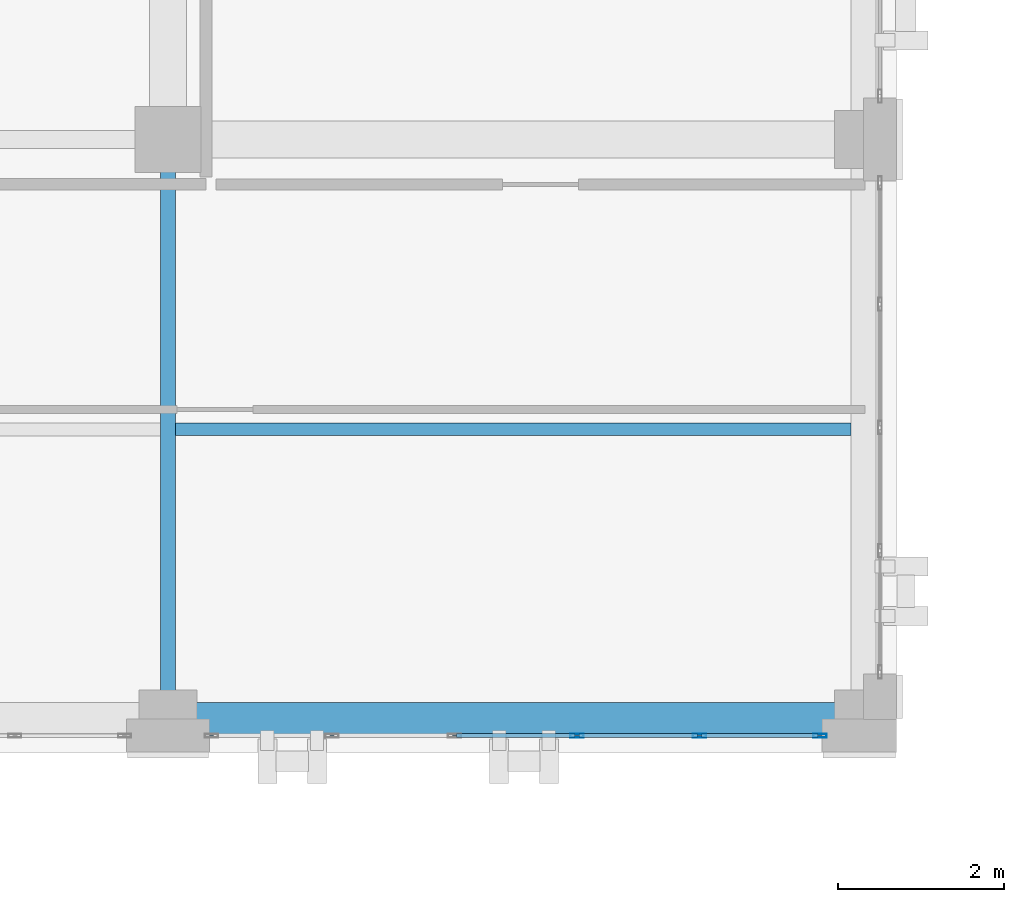
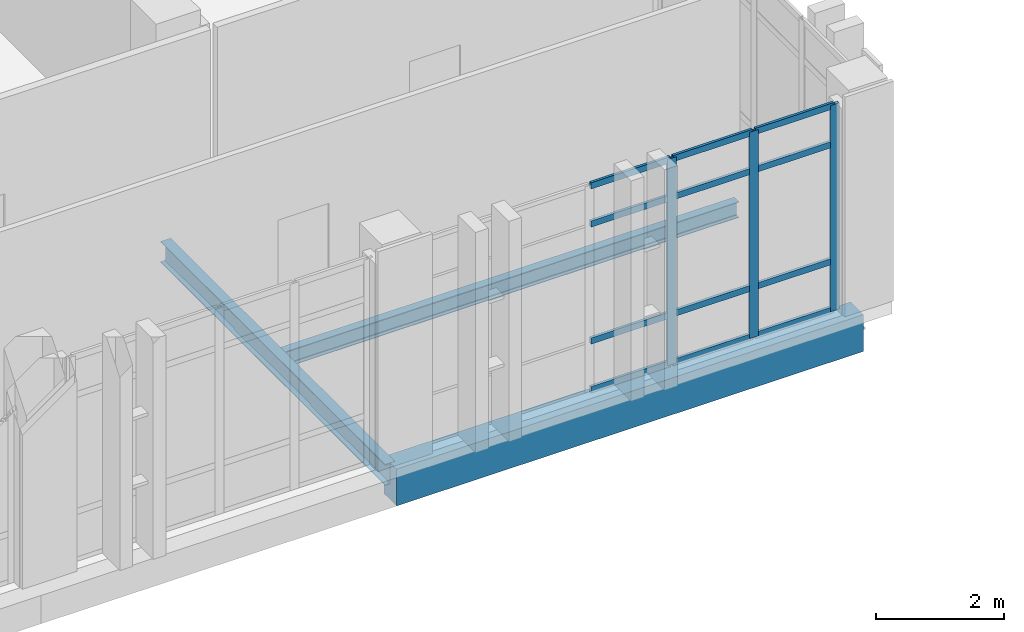
# One storey, part 84 of 158: 15 members, 3 beams, 1 element without a shape of its own.
"""IFC4 building model written with IfcOpenShell, lengths in metres."""

from ifc_helpers import new_model, si_unit, direction, frame, origin, origin_2d, place, context, subcontext, project, spatial, rectangle, hollow_rectangle, i_section, extrude, material, layer, layer_set, material_profile, profile_set, type_object, element, aggregate, save


model = new_model("IFC4")

# Units and contexts
model_context = context("Model", 3, precision=1e-05, world=origin(), true_north=direction((0.0, 1.0)))
body_context = subcontext(model_context, "Body", "Model", "MODEL_VIEW")
ifc_project = project(units=[si_unit("LENGTHUNIT", "METRE"), si_unit("AREAUNIT", "SQUARE_METRE"), si_unit("VOLUMEUNIT", "CUBIC_METRE"), si_unit("PLANEANGLEUNIT", "RADIAN"), si_unit("MASSUNIT", "GRAM", prefix="KILO")], contexts=[model_context])

# Site, building, storey
site_placement = place(None, origin())
site = spatial("IfcSite", under=ifc_project, at=site_placement, CompositionType="ELEMENT")
building_placement = place(site_placement, origin())
building = spatial("IfcBuilding", under=site, at=building_placement, Name="Qalavern Law Courts", CompositionType="ELEMENT")
storey_placement = place(building_placement, frame((0.0, 0.0, 18.60009765625)))
storey = spatial("IfcBuildingStorey", under=building, at=storey_placement, Name="L04", CompositionType="ELEMENT", Elevation=18.60009765625)

# Curtain wall, members
ifc_material_1 = material(Name="Anodised aluminium and insulated glazing", Category="aluminium")
ifc_layer = layer(ifc_material_1, 0.166015625)
ifc_layer_set = layer_set([ifc_layer], Name="Anodised aluminium and insulated glazing")
curtain_wall_type = type_object("IfcCurtainWallType", Name="ENV-CW-LIB", PredefinedType="USERDEFINED", material=ifc_layer_set)
curtain_wall_placement = place(storey_placement, origin())
curtain_wall = element("IfcCurtainWall", 1, at=curtain_wall_placement, inside=storey, type_object=curtain_wall_type, Name="V5 unitised curtain wall L04 south 6", ObjectType="UNITISED CURTAIN WALL", PredefinedType="USERDEFINED")
ifc_material_2 = material(Name="Anodised aluminium", Category="aluminium")
ifc_material_profile_1 = material_profile(ifc_material_2, hollow_rectangle(XDim=0.048095703125, YDim=0.159912109375, WallThickness=0.00390625, at=origin_2d()), Name="ALU MULLION 48x160")
ifc_profile_set_1 = profile_set([ifc_material_profile_1], Name="Anodised aluminium")
member_type_1 = type_object("IfcMemberType", Name="ENV-CWM-48x160", PredefinedType="MULLION", material=ifc_profile_set_1)
member_1_placement = place(storey_placement, frame((62.93994140625, 96.39990234375, 0.0), z_axis=(0.0, 0.0, 1.0), x_axis=(0.0, 1.0, 0.0)))
member_1 = element("IfcMember", 2, at=member_1_placement, type_object=member_type_1, Name="CW-05 mullion 4", PredefinedType="MULLION", context=body_context, shape_type="SweptSolid", body=[
    extrude(hollow_rectangle(XDim=0.048095703125, YDim=0.159912109375, WallThickness=0.00390625, at=origin_2d()), origin(), (0.0, 0.0, 1.0), 3.9248046875),
])
member_2_placement = place(storey_placement, frame((64.419921875, 96.39990234375, 0.0), z_axis=(0.0, 0.0, 1.0), x_axis=(0.0, 1.0, 0.0)))
member_2 = element("IfcMember", 3, at=member_2_placement, type_object=member_type_1, Name="CW-05 mullion 5", PredefinedType="MULLION", context=body_context, shape_type="SweptSolid", body=[
    extrude(hollow_rectangle(XDim=0.048095703125, YDim=0.159912109375, WallThickness=0.00390625, at=origin_2d()), origin(), (0.0, 0.0, 1.0), 3.9248046875),
])
member_3_placement = place(storey_placement, frame((65.8759765625, 96.39990234375, 0.0), z_axis=(0.0, 0.0, 1.0), x_axis=(0.0, 1.0, 0.0)))
member_3 = element("IfcMember", 4, at=member_3_placement, type_object=member_type_1, Name="CW-05 mullion 6", PredefinedType="MULLION", context=body_context, shape_type="SweptSolid", body=[
    extrude(hollow_rectangle(XDim=0.048095703125, YDim=0.159912109375, WallThickness=0.00390625, at=origin_2d()), origin(), (0.0, 0.0, 1.0), 3.9248046875),
])
ifc_material_profile_2 = material_profile(ifc_material_2, hollow_rectangle(XDim=0.048095703125, YDim=0.1201171875, WallThickness=0.00390625, at=origin_2d()), Name="ALU TRANSOM 48x120")
ifc_profile_set_2 = profile_set([ifc_material_profile_2], Name="Anodised aluminium")
member_type_2 = type_object("IfcMemberType", Name="ENV-CWT-48x120", PredefinedType="USERDEFINED", material=ifc_profile_set_2)
member_4_placement = place(storey_placement, frame((61.48388671875, 96.39990234375, 0.02392578125), z_axis=(1.0, 0.0, 0.0), x_axis=(0.0, 1.0, 0.0)))
member_4 = element("IfcMember", 5, at=member_4_placement, type_object=member_type_2, Name="CW-05 transom 3.1", ObjectType="TRANSOM", PredefinedType="USERDEFINED", context=body_context, shape_type="SweptSolid", body=[
    extrude(hollow_rectangle(XDim=0.048095703125, YDim=0.1201171875, WallThickness=0.00390625, at=origin_2d()), origin(), (0.0, 0.0, 1.0), 1.43212890625),
])
member_5_placement = place(storey_placement, frame((61.48388671875, 96.39990234375, 0.949951171875), z_axis=(1.0, 0.0, 0.0), x_axis=(0.0, 1.0, 0.0)))
member_5 = element("IfcMember", 6, at=member_5_placement, type_object=member_type_2, Name="CW-05 transom 3.2", ObjectType="TRANSOM", PredefinedType="USERDEFINED", context=body_context, shape_type="SweptSolid", body=[
    extrude(hollow_rectangle(XDim=0.048095703125, YDim=0.1201171875, WallThickness=0.00390625, at=origin_2d()), origin(), (0.0, 0.0, 1.0), 1.43212890625),
])
member_6_placement = place(storey_placement, frame((61.48388671875, 96.39990234375, 3.1748046875), z_axis=(1.0, 0.0, 0.0), x_axis=(0.0, 1.0, 0.0)))
member_6 = element("IfcMember", 7, at=member_6_placement, type_object=member_type_2, Name="CW-05 transom 3.3", ObjectType="TRANSOM", PredefinedType="USERDEFINED", context=body_context, shape_type="SweptSolid", body=[
    extrude(hollow_rectangle(XDim=0.048095703125, YDim=0.1201171875, WallThickness=0.00390625, at=origin_2d()), origin(), (0.0, 0.0, 1.0), 1.43212890625),
])
member_7_placement = place(storey_placement, frame((61.48388671875, 96.39990234375, 3.90087890625), z_axis=(1.0, 0.0, 0.0), x_axis=(0.0, 1.0, 0.0)))
member_7 = element("IfcMember", 8, at=member_7_placement, type_object=member_type_2, Name="CW-05 transom 3.4", ObjectType="TRANSOM", PredefinedType="USERDEFINED", context=body_context, shape_type="SweptSolid", body=[
    extrude(hollow_rectangle(XDim=0.048095703125, YDim=0.1201171875, WallThickness=0.00390625, at=origin_2d()), origin(), (0.0, 0.0, 1.0), 1.43212890625),
])
member_8_placement = place(storey_placement, frame((62.964111328125, 96.39990234375, 0.02392578125), z_axis=(1.0, 0.0, 0.0), x_axis=(0.0, 1.0, 0.0)))
member_8 = element("IfcMember", 9, at=member_8_placement, type_object=member_type_2, Name="CW-05 transom 4.1", ObjectType="TRANSOM", PredefinedType="USERDEFINED", context=body_context, shape_type="SweptSolid", body=[
    extrude(hollow_rectangle(XDim=0.048095703125, YDim=0.1201171875, WallThickness=0.00390625, at=origin_2d()), origin(), (0.0, 0.0, 1.0), 1.431884765625),
])
member_9_placement = place(storey_placement, frame((62.964111328125, 96.39990234375, 0.949951171875), z_axis=(1.0, 0.0, 0.0), x_axis=(0.0, 1.0, 0.0)))
member_9 = element("IfcMember", 10, at=member_9_placement, type_object=member_type_2, Name="CW-05 transom 4.2", ObjectType="TRANSOM", PredefinedType="USERDEFINED", context=body_context, shape_type="SweptSolid", body=[
    extrude(hollow_rectangle(XDim=0.048095703125, YDim=0.1201171875, WallThickness=0.00390625, at=origin_2d()), origin(), (0.0, 0.0, 1.0), 1.431884765625),
])
member_10_placement = place(storey_placement, frame((62.964111328125, 96.39990234375, 3.1748046875), z_axis=(1.0, 0.0, 0.0), x_axis=(0.0, 1.0, 0.0)))
member_10 = element("IfcMember", 11, at=member_10_placement, type_object=member_type_2, Name="CW-05 transom 4.3", ObjectType="TRANSOM", PredefinedType="USERDEFINED", context=body_context, shape_type="SweptSolid", body=[
    extrude(hollow_rectangle(XDim=0.048095703125, YDim=0.1201171875, WallThickness=0.00390625, at=origin_2d()), origin(), (0.0, 0.0, 1.0), 1.431884765625),
])
member_11_placement = place(storey_placement, frame((62.964111328125, 96.39990234375, 3.90087890625), z_axis=(1.0, 0.0, 0.0), x_axis=(0.0, 1.0, 0.0)))
member_11 = element("IfcMember", 12, at=member_11_placement, type_object=member_type_2, Name="CW-05 transom 4.4", ObjectType="TRANSOM", PredefinedType="USERDEFINED", context=body_context, shape_type="SweptSolid", body=[
    extrude(hollow_rectangle(XDim=0.048095703125, YDim=0.1201171875, WallThickness=0.00390625, at=origin_2d()), origin(), (0.0, 0.0, 1.0), 1.431884765625),
])
member_12_placement = place(storey_placement, frame((64.444091796875, 96.39990234375, 0.02392578125), z_axis=(1.0, 0.0, 0.0), x_axis=(0.0, 1.0, 0.0)))
member_12 = element("IfcMember", 13, at=member_12_placement, type_object=member_type_2, Name="CW-05 transom 5.1", ObjectType="TRANSOM", PredefinedType="USERDEFINED", context=body_context, shape_type="SweptSolid", body=[
    extrude(hollow_rectangle(XDim=0.048095703125, YDim=0.1201171875, WallThickness=0.00390625, at=origin_2d()), origin(), (0.0, 0.0, 1.0), 1.407958984375),
])
member_13_placement = place(storey_placement, frame((64.444091796875, 96.39990234375, 0.949951171875), z_axis=(1.0, 0.0, 0.0), x_axis=(0.0, 1.0, 0.0)))
member_13 = element("IfcMember", 14, at=member_13_placement, type_object=member_type_2, Name="CW-05 transom 5.2", ObjectType="TRANSOM", PredefinedType="USERDEFINED", context=body_context, shape_type="SweptSolid", body=[
    extrude(hollow_rectangle(XDim=0.048095703125, YDim=0.1201171875, WallThickness=0.00390625, at=origin_2d()), origin(), (0.0, 0.0, 1.0), 1.407958984375),
])
member_14_placement = place(storey_placement, frame((64.444091796875, 96.39990234375, 3.1748046875), z_axis=(1.0, 0.0, 0.0), x_axis=(0.0, 1.0, 0.0)))
member_14 = element("IfcMember", 15, at=member_14_placement, type_object=member_type_2, Name="CW-05 transom 5.3", ObjectType="TRANSOM", PredefinedType="USERDEFINED", context=body_context, shape_type="SweptSolid", body=[
    extrude(hollow_rectangle(XDim=0.048095703125, YDim=0.1201171875, WallThickness=0.00390625, at=origin_2d()), origin(), (0.0, 0.0, 1.0), 1.407958984375),
])
member_15_placement = place(storey_placement, frame((64.444091796875, 96.39990234375, 3.90087890625), z_axis=(1.0, 0.0, 0.0), x_axis=(0.0, 1.0, 0.0)))
member_15 = element("IfcMember", 16, at=member_15_placement, type_object=member_type_2, Name="CW-05 transom 5.4", ObjectType="TRANSOM", PredefinedType="USERDEFINED", context=body_context, shape_type="SweptSolid", body=[
    extrude(hollow_rectangle(XDim=0.048095703125, YDim=0.1201171875, WallThickness=0.00390625, at=origin_2d()), origin(), (0.0, 0.0, 1.0), 1.407958984375),
])
aggregate(curtain_wall, [member_1, member_2, member_3, member_4, member_5, member_6, member_7, member_8, member_9, member_10, member_11, member_12, member_13, member_14, member_15])

# Beams
ifc_material_3 = material(Name="Steel S355", Category="steel")
ifc_material_profile_3 = material_profile(ifc_material_3, i_section(OverallWidth=0.179931640625, OverallDepth=0.39990234375, WebThickness=0.008544921875, FlangeThickness=0.013427734375, FilletRadius=0.02099609375, at=origin_2d()), Name="IPE 400")
ifc_profile_set_3 = profile_set([ifc_material_profile_3], Name="Steel S355")
beam_type_1 = type_object("IfcBeamType", Name="STR-BM-IPE400", PredefinedType="BEAM", material=ifc_profile_set_3)
beam_1_placement = place(storey_placement, frame((58.0, 96.60009765625, -0.47998046875), z_axis=(0.0, 1.0, 0.0), x_axis=(-1.0, 0.0, 0.0)))
element("IfcBeam", 17, at=beam_1_placement, inside=storey, type_object=beam_type_1, Name="V5 Y-beam 8-1 L04", PredefinedType="BEAM", context=body_context, shape_type="SweptSolid", body=[
    extrude(i_section(OverallWidth=0.179931640625, OverallDepth=0.39990234375, WebThickness=0.008544921875, FlangeThickness=0.013427734375, FilletRadius=0.02099609375, at=origin_2d()), origin(), (0.0, 0.0, 1.0), 7.0),
])
ifc_material_profile_4 = material_profile(ifc_material_3, i_section(OverallWidth=0.14990234375, OverallDepth=0.300048828125, WebThickness=0.007080078125, FlangeThickness=0.0107421875, FilletRadius=0.014892578125, at=origin_2d()), Name="IPE 300")
ifc_profile_set_4 = profile_set([ifc_material_profile_4], Name="Steel S355")
beam_type_2 = type_object("IfcBeamType", Name="STR-JST-IPE300", PredefinedType="JOIST", material=ifc_profile_set_4)
beam_2_placement = place(storey_placement, frame((58.087890625, 100.10009765625, -0.43017578125), z_axis=(1.0, 0.0, 0.0), x_axis=(0.0, 1.0, 0.0)))
element("IfcBeam", 18, at=beam_2_placement, inside=storey, type_object=beam_type_2, Name="V5 secondary joist 8.1.1 L04", PredefinedType="JOIST", context=body_context, shape_type="SweptSolid", body=[
    extrude(i_section(OverallWidth=0.14990234375, OverallDepth=0.300048828125, WebThickness=0.007080078125, FlangeThickness=0.0107421875, FilletRadius=0.014892578125, at=origin_2d()), origin(), (0.0, 0.0, 1.0), 8.1640625),
])
ifc_material_4 = material(Name="Concrete C40/50", Category="concrete")
ifc_material_profile_5 = material_profile(ifc_material_4, rectangle(XDim=0.39990234375, YDim=0.699951171875, at=origin_2d()), Name="RC 400x700")
ifc_profile_set_5 = profile_set([ifc_material_profile_5], Name="Concrete C40/50")
beam_type_3 = type_object("IfcBeamType", Name="STR-SP-RC400x700", PredefinedType="SPANDREL", material=ifc_profile_set_5)
beam_3_placement = place(storey_placement, frame((58.0, 96.60009765625, -0.630126953125), z_axis=(1.0, 0.0, 0.0), x_axis=(0.0, 1.0, 0.0)))
element("IfcBeam", 19, at=beam_3_placement, inside=storey, type_object=beam_type_3, Name="V5 X-beam 1-8 L04", PredefinedType="SPANDREL", context=body_context, shape_type="SweptSolid", body=[
    extrude(rectangle(XDim=0.39990234375, YDim=0.699951171875, at=origin_2d()), origin(), (0.0, 0.0, 1.0), 8.39990234375),
])

save(model, "model.ifc")
